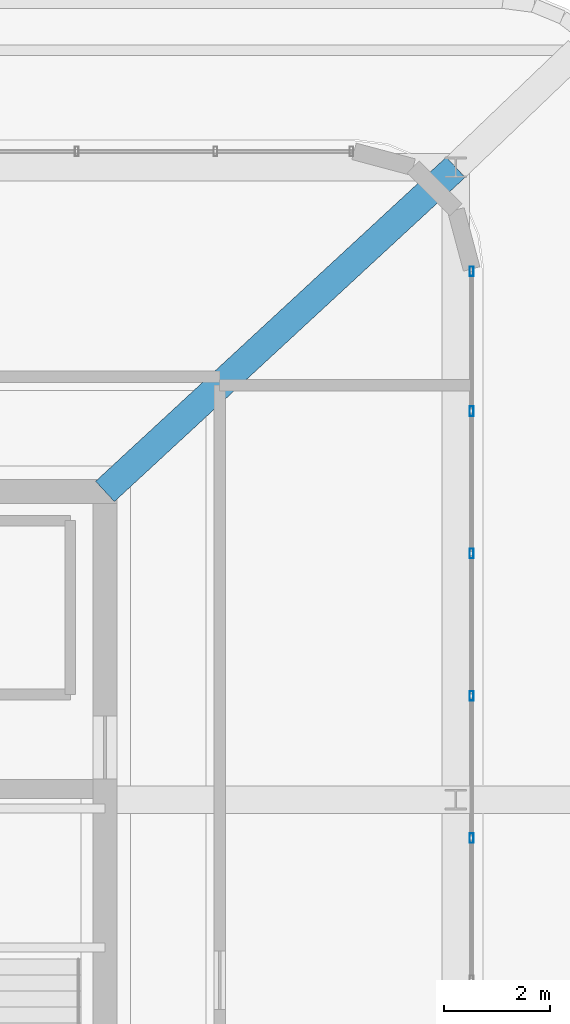
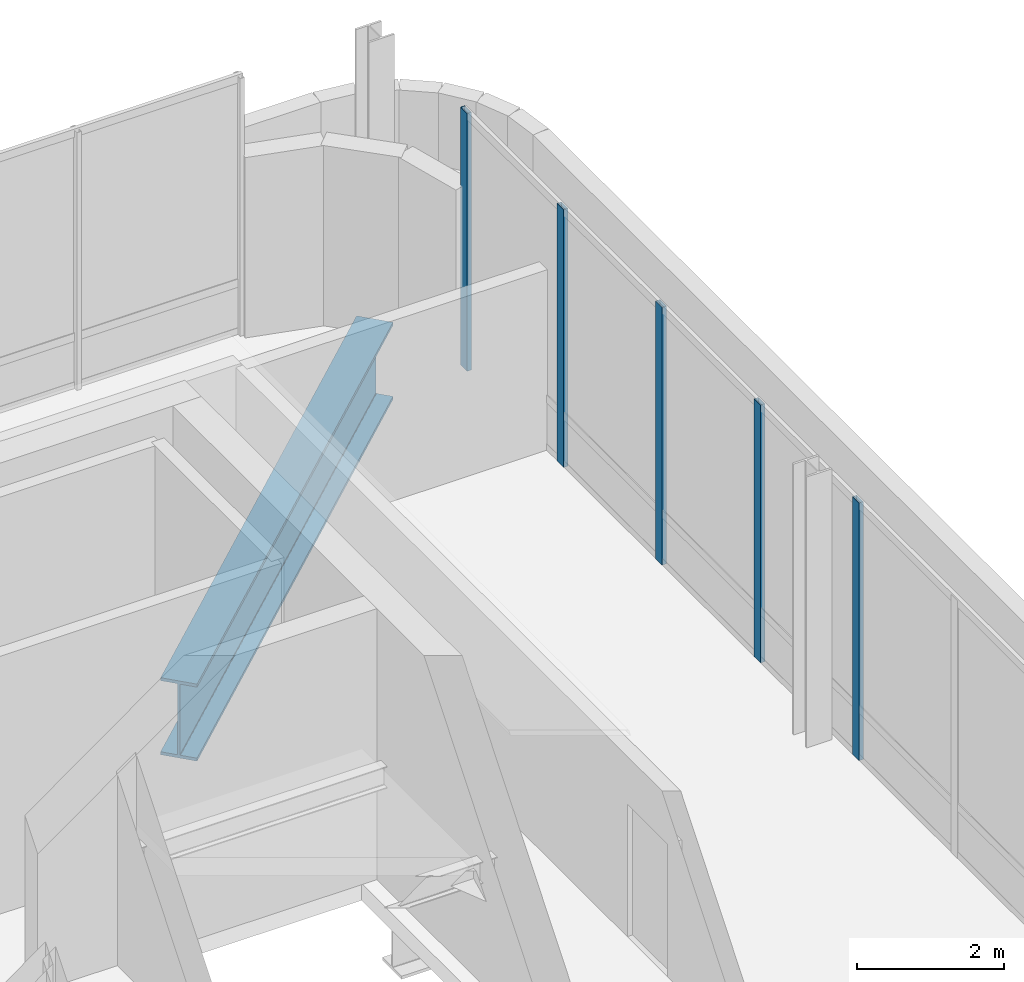
# One storey, part 16 of 28: 5 members, 1 beam, 1 element without a shape of its own.
"""IFC4 building model written with IfcOpenShell, lengths in metres."""

from ifc_helpers import new_model, si_unit, direction, frame, origin, origin_2d, place, context, subcontext, project, spatial, hollow_rectangle, i_section, extrude, material, material_profile, profile_set, type_object, element, aggregate, save


model = new_model("IFC4")

# Units and contexts
model_context = context("Model", 3, precision=1e-05, world=origin(), true_north=direction((0.0, 1.0)))
body_context = subcontext(model_context, "Body", "Model", "MODEL_VIEW")
ifc_project = project(units=[si_unit("LENGTHUNIT", "METRE"), si_unit("AREAUNIT", "SQUARE_METRE"), si_unit("VOLUMEUNIT", "CUBIC_METRE"), si_unit("PLANEANGLEUNIT", "RADIAN"), si_unit("MASSUNIT", "GRAM", prefix="KILO")], contexts=[model_context])

# Site, building, storey
site_placement = place(None, origin())
site = spatial("IfcSite", under=ifc_project, at=site_placement, CompositionType="ELEMENT")
building_placement = place(site_placement, origin())
building = spatial("IfcBuilding", under=site, at=building_placement, Name="Punatoya Terracotta Tower", CompositionType="ELEMENT")
storey_placement = place(building_placement, frame((0.0, 0.0, 352.800048828125)))
storey = spatial("IfcBuildingStorey", under=building, at=storey_placement, Name="L83", CompositionType="ELEMENT", Elevation=352.800048828125)

# Beam
ifc_material_1 = material(Name="Steel S460", Category="steel")
ifc_material_profile_1 = material_profile(ifc_material_1, i_section(OverallWidth=0.52001953125, OverallDepth=1.280029296875, WebThickness=0.031982421875, FlangeThickness=0.050048828125, FilletRadius=0.01806640625, at=origin_2d()))
ifc_profile_set_1 = profile_set([ifc_material_profile_1], Name="Steel S460")
beam_type = type_object("IfcBeamType", Name="BM-TG-NCK", PredefinedType="BEAM", material=ifc_profile_set_1)
beam_placement = place(storey_placement, frame((16.800048828125, 15.300048828125, -0.920166015625), z_axis=(-0.734376297809, -0.678742552973, 0.0), x_axis=(0.678742552973, -0.734376297809, 0.0)))
element("IfcBeam", 1, at=beam_placement, inside=storey, type_object=beam_type, Name="BM-L83-CD3B", PredefinedType="BEAM", context=body_context, shape_type="SweptSolid", body=[
    extrude(i_section(OverallWidth=0.52001953125, OverallDepth=1.280029296875, WebThickness=0.031982421875, FlangeThickness=0.050048828125, FilletRadius=0.01806640625, at=origin_2d()), origin(), (0.0, 0.0, 1.0), 8.9873046875),
])

# Curtain wall, members
ifc_material_2 = material(Name="Aluminium 6063-T6 + Double Low-E Glass", Category="aluminium")
curtain_wall_type = type_object("IfcCurtainWallType", Name="CW-CRN", PredefinedType="NOTDEFINED", material=ifc_material_2)
curtain_wall_placement = place(storey_placement, origin())
curtain_wall = element("IfcCurtainWall", 2, at=curtain_wall_placement, inside=storey, type_object=curtain_wall_type, Name="L83 Curtain Wall CW-L83-E05-1", PredefinedType="NOTDEFINED")
ifc_material_3 = material(Name="Aluminium 6063-T6", Category="aluminium")
ifc_material_profile_2 = material_profile(ifc_material_3, hollow_rectangle(XDim=0.070068359375, YDim=0.179931640625, WallThickness=0.00390625, at=origin_2d()))
ifc_profile_set_2 = profile_set([ifc_material_profile_2], Name="Aluminium 6063-T6")
member_type = type_object("IfcMemberType", Name="CW-MUL-M3", PredefinedType="MULLION", material=ifc_profile_set_2)
member_1_placement = place(storey_placement, frame((17.10009765625, 2.677490234375, 0.0), z_axis=(0.0, 0.0, 1.0), x_axis=(1.0, 0.0, 0.0)))
member_1 = element("IfcMember", 3, at=member_1_placement, type_object=member_type, Name="CW-L83-E05-1 Mullion 06", PredefinedType="MULLION", context=body_context, shape_type="SweptSolid", body=[
    extrude(hollow_rectangle(XDim=0.070068359375, YDim=0.179931640625, WallThickness=0.00390625, at=origin_2d()), origin(), (0.0, 0.0, 1.0), 4.280029296875),
])
member_2_placement = place(storey_placement, frame((17.10009765625, 5.354736328125, 0.0), z_axis=(0.0, 0.0, 1.0), x_axis=(1.0, 0.0, 0.0)))
member_2 = element("IfcMember", 4, at=member_2_placement, type_object=member_type, Name="CW-L83-E05-1 Mullion 07", PredefinedType="MULLION", context=body_context, shape_type="SweptSolid", body=[
    extrude(hollow_rectangle(XDim=0.070068359375, YDim=0.179931640625, WallThickness=0.00390625, at=origin_2d()), origin(), (0.0, 0.0, 1.0), 4.280029296875),
])
member_3_placement = place(storey_placement, frame((17.10009765625, 8.031982421875, 0.0), z_axis=(0.0, 0.0, 1.0), x_axis=(1.0, 0.0, 0.0)))
member_3 = element("IfcMember", 5, at=member_3_placement, type_object=member_type, Name="CW-L83-E05-1 Mullion 08", PredefinedType="MULLION", context=body_context, shape_type="SweptSolid", body=[
    extrude(hollow_rectangle(XDim=0.070068359375, YDim=0.179931640625, WallThickness=0.00390625, at=origin_2d()), origin(), (0.0, 0.0, 1.0), 4.280029296875),
])
member_4_placement = place(storey_placement, frame((17.10009765625, 10.70947265625, 0.0), z_axis=(0.0, 0.0, 1.0), x_axis=(1.0, 0.0, 0.0)))
member_4 = element("IfcMember", 6, at=member_4_placement, type_object=member_type, Name="CW-L83-E05-1 Mullion 09", PredefinedType="MULLION", context=body_context, shape_type="SweptSolid", body=[
    extrude(hollow_rectangle(XDim=0.070068359375, YDim=0.179931640625, WallThickness=0.00390625, at=origin_2d()), origin(), (0.0, 0.0, 1.0), 4.280029296875),
])
member_5_placement = place(storey_placement, frame((17.10009765625, 13.341796875, 0.0), z_axis=(0.0, 0.0, 1.0), x_axis=(1.0, 0.0, 0.0)))
member_5 = element("IfcMember", 7, at=member_5_placement, type_object=member_type, Name="CW-L83-E05-1 Mullion 10", PredefinedType="MULLION", context=body_context, shape_type="SweptSolid", body=[
    extrude(hollow_rectangle(XDim=0.070068359375, YDim=0.179931640625, WallThickness=0.00390625, at=origin_2d()), origin(), (0.0, 0.0, 1.0), 4.280029296875),
])
aggregate(curtain_wall, [member_1, member_2, member_3, member_4, member_5])

save(model, "model.ifc")
